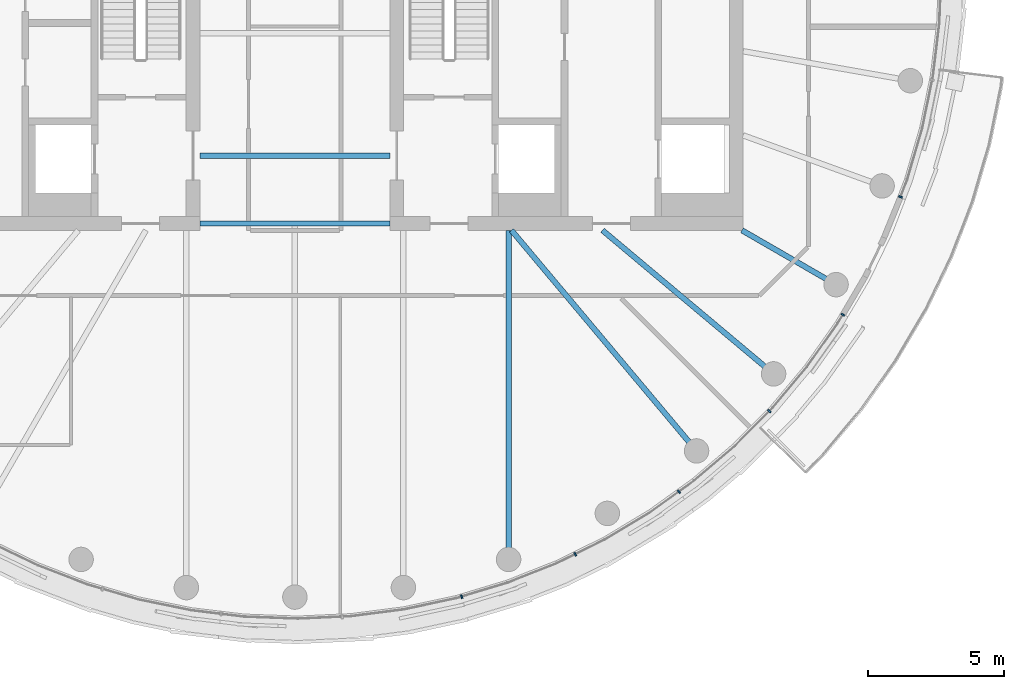
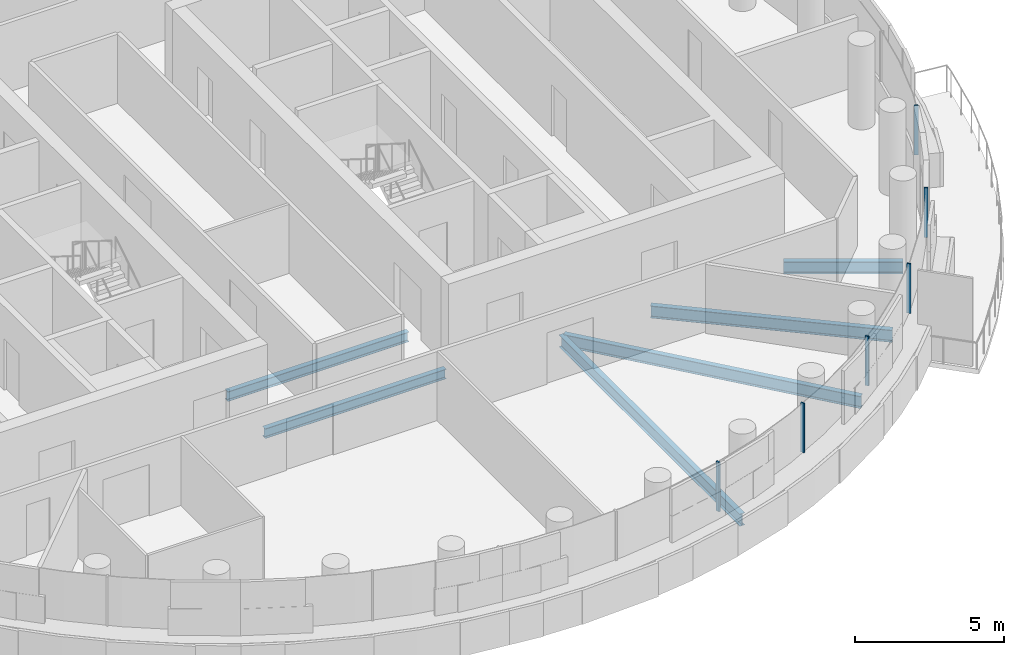
# One storey, part 7 of 26: 6 beams, 6 members, 1 element without a shape of its own.
"""IFC4 building model written with IfcOpenShell, lengths in metres."""

from ifc_helpers import new_model, si_unit, direction, frame, origin, origin_2d, place, context, subcontext, project, spatial, rectangle, i_section, extrude, material, layer, layer_set, material_profile, profile_set, type_object, element, aggregate, save


model = new_model("IFC4")

# Units and contexts
model_context = context("Model", 3, precision=1e-05, world=origin(), true_north=direction((0.0, 1.0)))
body_context = subcontext(model_context, "Body", "Model", "MODEL_VIEW")
ifc_project = project(units=[si_unit("LENGTHUNIT", "METRE"), si_unit("AREAUNIT", "SQUARE_METRE"), si_unit("VOLUMEUNIT", "CUBIC_METRE"), si_unit("PLANEANGLEUNIT", "RADIAN"), si_unit("MASSUNIT", "GRAM", prefix="KILO")], contexts=[model_context])

# Site, building, storey
site_placement = place(None, origin())
site = spatial("IfcSite", under=ifc_project, at=site_placement, CompositionType="ELEMENT")
building_placement = place(site_placement, origin())
building = spatial("IfcBuilding", under=site, at=building_placement, Name="Tamarind Cross Interchange Tower", CompositionType="ELEMENT")
storey_placement = place(building_placement, frame((0.0, 0.0, 248.699951171875)))
storey = spatial("IfcBuildingStorey", under=building, at=storey_placement, Name="L63", CompositionType="ELEMENT", Elevation=248.699951171875)

# Beams
ifc_material_1 = material(Name="Steel Q355B", Category="steel")
ifc_material_profile_1 = material_profile(ifc_material_1, i_section(OverallWidth=0.199951171875, OverallDepth=0.39990234375, WebThickness=0.008056640625, FlangeThickness=0.012939453125, FilletRadius=0.01611328125, at=origin_2d()), Name="HN 400x200x8x13")
ifc_profile_set_1 = profile_set([ifc_material_profile_1], Name="Steel Q355B")
beam_type_1 = type_object("IfcBeamType", Name="Composite beam HN 400x200x8x13 Q355B", PredefinedType="BEAM", material=ifc_profile_set_1)
for number, where, z_axis, x_axis, name in (
    (1, (-3.5, -6.75, -0.33984375), (1.0, 0.0, 0.0), (0.0, 1.0, 0.0), "Beam G-6.75"),
    (2, (-3.5, -9.25, -0.33984375), (1.0, 0.0, 0.0), (0.0, 1.0, 0.0), "Beam G-9.25"),
):
    element("IfcBeam", number, at=place(storey_placement, frame(where, z_axis=z_axis, x_axis=x_axis)), inside=storey, type_object=beam_type_1, Name=name, PredefinedType="BEAM", context=body_context, shape_type="SweptSolid", body=[
        extrude(i_section(OverallWidth=0.199951171875, OverallDepth=0.39990234375, WebThickness=0.008056640625, FlangeThickness=0.012939453125, FilletRadius=0.01611328125, at=origin_2d()), origin(), (0.0, 0.0, 1.0), 7.0),
    ])
ifc_material_profile_2 = material_profile(ifc_material_1, i_section(OverallWidth=0.198974609375, OverallDepth=0.49609375, WebThickness=0.009033203125, FlangeThickness=0.013916015625, FilletRadius=0.012939453125, at=origin_2d()), Name="HN 496x199x9x14")
ifc_profile_set_2 = profile_set([ifc_material_profile_2], Name="Steel Q355B")
beam_type_2 = type_object("IfcBeamType", Name="Composite beam HN 496x199x9x14 Q355B", PredefinedType="BEAM", material=ifc_profile_set_2)
beam_1_placement = place(storey_placement, frame((7.866455078125, -21.613037109375, -0.387939453125), z_axis=(0.0, 1.0, 0.0), x_axis=(-1.0, 0.0, 0.0)))
element("IfcBeam", 3, at=beam_1_placement, inside=storey, type_object=beam_type_2, Name="Beam HH29", PredefinedType="BEAM", context=body_context, shape_type="SweptSolid", body=[
    extrude(i_section(OverallWidth=0.198974609375, OverallDepth=0.49609375, WebThickness=0.009033203125, FlangeThickness=0.013916015625, FilletRadius=0.012939453125, at=origin_2d()), origin(), (0.0, 0.0, 1.0), 12.113037109375),
])
beam_2_placement = place(storey_placement, frame((14.7841796875, -17.619140625, -0.387939453125), z_axis=(-0.642786293979, 0.766045547127, 0.0), x_axis=(-0.766045547127, -0.642786293979, 0.0)))
element("IfcBeam", 4, at=beam_2_placement, inside=storey, type_object=beam_type_2, Name="Beam HH31", PredefinedType="BEAM", context=body_context, shape_type="SweptSolid", body=[
    extrude(i_section(OverallWidth=0.198974609375, OverallDepth=0.49609375, WebThickness=0.009033203125, FlangeThickness=0.013916015625, FilletRadius=0.012939453125, at=origin_2d()), origin(), (0.0, 0.0, 1.0), 10.598876953125),
])
beam_3_placement = place(storey_placement, frame((17.619140625, -14.7841796875, -0.387939453125), z_axis=(-0.766040580814, 0.642792212574, 0.0), x_axis=(-0.642792212574, -0.766040580814, 0.0)))
element("IfcBeam", 5, at=beam_3_placement, inside=storey, type_object=beam_type_2, Name="Beam HH32", PredefinedType="BEAM", context=body_context, shape_type="SweptSolid", body=[
    extrude(i_section(OverallWidth=0.198974609375, OverallDepth=0.49609375, WebThickness=0.009033203125, FlangeThickness=0.013916015625, FilletRadius=0.012939453125, at=origin_2d()), origin(), (0.0, 0.0, 1.0), 8.220703125),
])
beam_4_placement = place(storey_placement, frame((19.918701171875, -11.5, -0.387939453125), z_axis=(-0.866026010844, 0.49999894854, 0.0), x_axis=(-0.49999894854, -0.866026010844, 0.0)))
element("IfcBeam", 6, at=beam_4_placement, inside=storey, type_object=beam_type_2, Name="Beam HH33", PredefinedType="BEAM", context=body_context, shape_type="SweptSolid", body=[
    extrude(i_section(OverallWidth=0.198974609375, OverallDepth=0.49609375, WebThickness=0.009033203125, FlangeThickness=0.013916015625, FilletRadius=0.012939453125, at=origin_2d()), origin(), (0.0, 0.0, 1.0), 4.0),
])

# Curtain wall, members
ifc_material_2 = material(Name="Aluminium 6063-T6", Category="aluminium")
ifc_layer = layer(ifc_material_2, 0.139892578125)
ifc_layer_set = layer_set([ifc_layer], Name="Aluminium 6063-T6")
curtain_wall_type = type_object("IfcCurtainWallType", Name="Hotel curtain wall, 4.5 m bays", PredefinedType="NOTDEFINED", material=ifc_layer_set)
curtain_wall_placement = place(storey_placement, origin())
curtain_wall = element("IfcCurtainWall", 7, at=curtain_wall_placement, inside=storey, type_object=curtain_wall_type, Name="CWS-L63-01", PredefinedType="NOTDEFINED")
ifc_material_profile_3 = material_profile(ifc_material_2, rectangle(XDim=0.06005859375, YDim=0.139892578125, at=origin_2d()), Name="Mullion CW2")
ifc_profile_set_3 = profile_set([ifc_material_profile_3], Name="Aluminium 6063-T6")
member_type = type_object("IfcMemberType", Name="Mullion CW2", PredefinedType="MULLION", material=ifc_profile_set_3)
member_1_placement = place(storey_placement, frame((6.1396484375, -22.982177734375, 1.400146484375), z_axis=(0.0, 0.0, 1.0), x_axis=(0.957190642199, 0.289458243079, 0.0)))
member_1 = element("IfcMember", 8, at=member_1_placement, type_object=member_type, Name="CWM-L63-01-07", PredefinedType="MULLION", context=body_context, shape_type="SweptSolid", body=[
    extrude(rectangle(XDim=0.06005859375, YDim=0.139892578125, at=origin_2d()), origin(), (0.0, 0.0, 1.0), 2.02001953125),
])
member_2_placement = place(storey_placement, frame((10.31689453125, -21.421630859375, 1.400146484375), z_axis=(0.0, 0.0, 1.0), x_axis=(0.896492548518, 0.443058811505, 0.0)))
member_2 = element("IfcMember", 9, at=member_2_placement, type_object=member_type, Name="CWM-L63-01-08", PredefinedType="MULLION", context=body_context, shape_type="SweptSolid", body=[
    extrude(rectangle(XDim=0.06005859375, YDim=0.139892578125, at=origin_2d()), origin(), (0.0, 0.0, 1.0), 2.02001953125),
])
member_3_placement = place(storey_placement, frame((14.13525390625, -19.119384765625, 1.400146484375), z_axis=(0.0, 0.0, 1.0), x_axis=(0.811340475102, 0.584573890505, 0.0)))
member_3 = element("IfcMember", 10, at=member_3_placement, type_object=member_type, Name="CWM-L63-01-09", PredefinedType="MULLION", context=body_context, shape_type="SweptSolid", body=[
    extrude(rectangle(XDim=0.06005859375, YDim=0.139892578125, at=origin_2d()), origin(), (0.0, 0.0, 1.0), 2.02001953125),
])
member_4_placement = place(storey_placement, frame((17.465087890625, -16.153076171875, 1.400146484375), z_axis=(0.0, 0.0, 1.0), x_axis=(0.704057148523, 0.710143317658, 0.0)))
member_4 = element("IfcMember", 11, at=member_4_placement, type_object=member_type, Name="CWM-L63-01-10", PredefinedType="MULLION", context=body_context, shape_type="SweptSolid", body=[
    extrude(rectangle(XDim=0.06005859375, YDim=0.139892578125, at=origin_2d()), origin(), (0.0, 0.0, 1.0), 2.02001953125),
])
member_5_placement = place(storey_placement, frame((20.16748046875, -12.60595703125, 1.400146484375), z_axis=(0.0, 0.0, 1.0), x_axis=(0.508183308752, 0.861248933065, 0.0)))
member_5 = element("IfcMember", 12, at=member_5_placement, type_object=member_type, Name="CWM-L63-01-11", PredefinedType="MULLION", context=body_context, shape_type="SweptSolid", body=[
    extrude(rectangle(XDim=0.06005859375, YDim=0.139892578125, at=origin_2d()), origin(), (0.0, 0.0, 1.0), 2.02001953125),
])
member_6_placement = place(storey_placement, frame((22.29248046875, -8.270751953125, 1.400146484375), z_axis=(0.0, 0.0, 1.0), x_axis=(0.359495435512, 0.933146843667, 0.0)))
member_6 = element("IfcMember", 13, at=member_6_placement, type_object=member_type, Name="CWM-L63-01-12", PredefinedType="MULLION", context=body_context, shape_type="SweptSolid", body=[
    extrude(rectangle(XDim=0.06005859375, YDim=0.139892578125, at=origin_2d()), origin(), (0.0, 0.0, 1.0), 2.02001953125),
])
aggregate(curtain_wall, [member_1, member_2, member_3, member_4, member_5, member_6])

save(model, "model.ifc")
